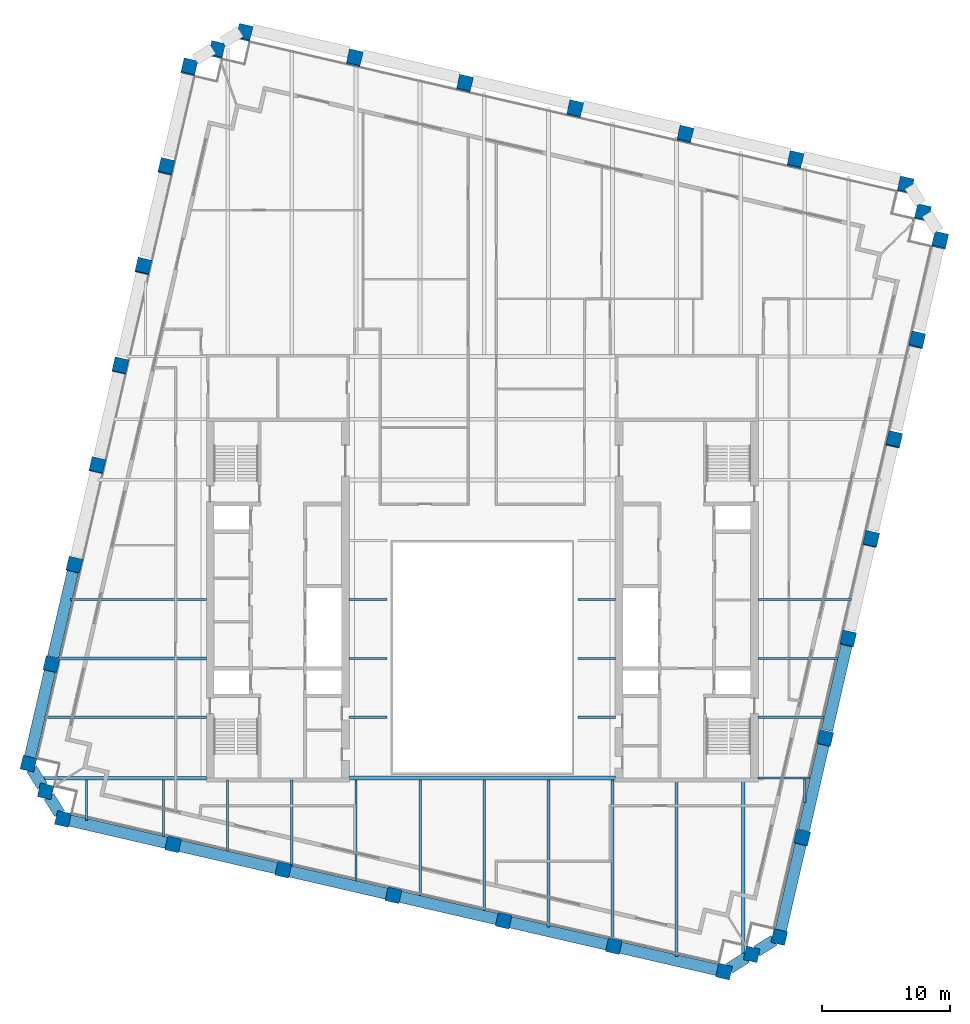
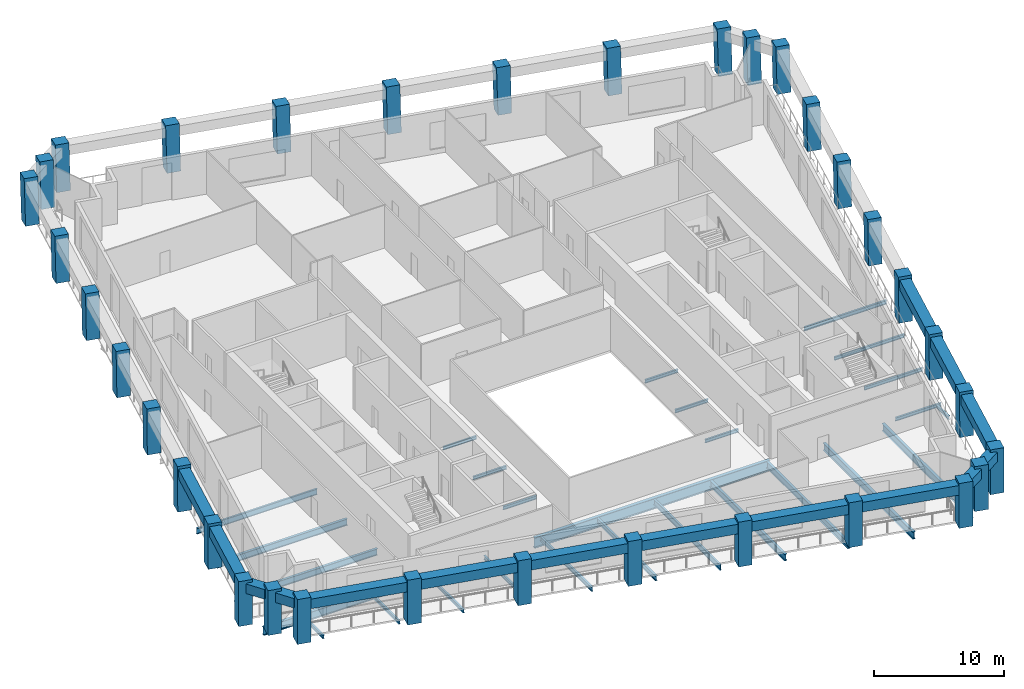
# One storey, part 1 of 10: 42 beams, 34 columns.
"""IFC4 building model written with IfcOpenShell, lengths in metres."""

from ifc_helpers import new_model, si_unit, direction, frame, origin, origin_2d, place, context, subcontext, project, spatial, rectangle, i_section, extrude, material, material_profile, profile_set, type_object, element, save


model = new_model("IFC4")

# Units and contexts
model_context = context("Model", 3, precision=1e-05, world=origin(), true_north=direction((0.0, 1.0)))
body_context = subcontext(model_context, "Body", "Model", "MODEL_VIEW")
ifc_project = project(units=[si_unit("LENGTHUNIT", "METRE"), si_unit("AREAUNIT", "SQUARE_METRE"), si_unit("VOLUMEUNIT", "CUBIC_METRE"), si_unit("PLANEANGLEUNIT", "RADIAN"), si_unit("MASSUNIT", "GRAM", prefix="KILO")], contexts=[model_context])

# Site, building, storey
site_placement = place(None, origin())
site = spatial("IfcSite", under=ifc_project, at=site_placement, CompositionType="ELEMENT")
building_placement = place(site_placement, origin())
building = spatial("IfcBuilding", under=site, at=building_placement, Name="Ogive Exchange Tower", CompositionType="ELEMENT")
storey_placement = place(building_placement, frame((0.0, 0.0, 251.39990234375)))
storey = spatial("IfcBuildingStorey", under=building, at=storey_placement, Name="L54", CompositionType="ELEMENT", Elevation=251.39990234375)

# Columns
ifc_material_1 = material(Name="Precast concrete C70/85 (limestone faced)", Category="masonry")
ifc_material_profile_1 = material_profile(ifc_material_1, rectangle(XDim=1.10009765625, YDim=1.10009765625, at=origin_2d()), Name="1100 x 1100")
ifc_profile_set_1 = profile_set([ifc_material_profile_1], Name="Precast concrete C70/85 (limestone faced)")
column_type = type_object("IfcColumnType", Name="Precast exoskeleton leg 1100 x 1100 C70/85", PredefinedType="COLUMN", material=ifc_profile_set_1)
for number, where, z_axis, x_axis, name in (
    (1, (-32.820556640625, -5.635498046875, 0.0), (0.0, 0.0, 1.0), (0.974370064785, -0.224951054344, 0.0), "Exoskeleton leg 1"),
    (2, (-24.197265625, -7.62646484375, 0.0), (0.0, 0.0, 1.0), (0.974370064785, -0.224951054344, 0.0), "Exoskeleton leg 2"),
    (3, (-15.57421875, -9.6171875, 0.0), (0.0, 0.0, 1.0), (0.974370064785, -0.224951054344, 0.0), "Exoskeleton leg 3"),
    (4, (-6.950927734375, -11.60791015625, 0.0), (0.0, 0.0, 1.0), (0.974370064785, -0.224951054344, 0.0), "Exoskeleton leg 4"),
    (5, (1.672119140625, -13.598876953125, 0.0), (0.0, 0.0, 1.0), (0.974370064785, -0.224951054344, 0.0), "Exoskeleton leg 5"),
    (6, (10.29541015625, -15.589599609375, 0.0), (0.0, 0.0, 1.0), (0.974370064785, -0.224951054344, 0.0), "Exoskeleton leg 6"),
    (7, (18.91845703125, -17.58056640625, 0.0), (0.0, 0.0, 1.0), (0.974370064785, -0.224951054344, 0.0), "Exoskeleton leg 7"),
    (8, (23.236083984375, -14.882568359375, 0.0), (0.0, 0.0, 1.0), (0.974370064785, -0.224951054344, 0.0), "Exoskeleton leg 8"),
):
    element("IfcColumn", number, at=place(storey_placement, frame(where, z_axis=z_axis, x_axis=x_axis)), inside=storey, type_object=column_type, Name=name, PredefinedType="COLUMN", context=body_context, shape_type="SweptSolid", body=[
        extrude(rectangle(XDim=1.10009765625, YDim=1.10009765625, at=origin_2d()), origin(), (0.0, 0.0, 1.0), 4.2001953125),
    ])
column_1_placement = place(storey_placement, frame((25.03271484375, -7.100341796875, 0.0), z_axis=(0.002964175891, 0.012670398905, 0.999915333742), x_axis=(-0.973709261374, 0.227794368487, 0.0)))
element("IfcColumn", 9, at=column_1_placement, inside=storey, type_object=column_type, Name="Exoskeleton leg 9", PredefinedType="COLUMN", context=body_context, shape_type="SweptSolid", body=[
    extrude(rectangle(XDim=1.10009765625, YDim=1.10009765625, at=origin_2d()), origin(), (0.0, 0.0, 1.0), 4.200439453125),
])
column_2_placement = place(storey_placement, frame((26.82958984375, 0.681884765625, 0.0), z_axis=(0.005810637908, 0.02533438128, 0.999662145733), x_axis=(-0.974691740237, 0.22355315143, 0.0)))
element("IfcColumn", 10, at=column_2_placement, inside=storey, type_object=column_type, Name="Exoskeleton leg 10", PredefinedType="COLUMN", context=body_context, shape_type="SweptSolid", body=[
    extrude(rectangle(XDim=1.10009765625, YDim=1.10009765625, at=origin_2d()), origin(), (0.0, 0.0, 1.0), 4.20166015625),
])
column_3_placement = place(storey_placement, frame((28.626220703125, 8.46435546875, 0.0), z_axis=(0.008770375651, 0.037927518544, 0.999242004646), x_axis=(-0.974290512438, 0.225295355862, 0.0)))
element("IfcColumn", 11, at=column_3_placement, inside=storey, type_object=column_type, Name="Exoskeleton leg 11", PredefinedType="COLUMN", context=body_context, shape_type="SweptSolid", body=[
    extrude(rectangle(XDim=1.10009765625, YDim=1.10009765625, at=origin_2d()), origin(), (0.0, 0.0, 1.0), 4.203369140625),
])
column_4_placement = place(storey_placement, frame((30.4228515625, 16.24658203125, 0.0), z_axis=(0.011667590749, 0.050559559912, 0.998652891764), x_axis=(-0.974391195695, 0.224859506699, 0.0)))
element("IfcColumn", 12, at=column_4_placement, inside=storey, type_object=column_type, Name="Exoskeleton leg 12", PredefinedType="COLUMN", context=body_context, shape_type="SweptSolid", body=[
    extrude(rectangle(XDim=1.10009765625, YDim=1.10009765625, at=origin_2d()), origin(), (0.0, 0.0, 1.0), 4.205810546875),
])
column_5_placement = place(storey_placement, frame((32.219482421875, 24.029052734375, 0.0), z_axis=(0.014616990755, 0.063108277545, 0.997899638684), x_axis=(-0.974209784844, 0.225644178107, 0.0)))
element("IfcColumn", 13, at=column_5_placement, inside=storey, type_object=column_type, Name="Exoskeleton leg 13", PredefinedType="COLUMN", context=body_context, shape_type="SweptSolid", body=[
    extrude(rectangle(XDim=1.10009765625, YDim=1.10009765625, at=origin_2d()), origin(), (0.0, 0.0, 1.0), 4.208984375),
])
column_6_placement = place(storey_placement, frame((34.01611328125, 31.811279296875, 0.0), z_axis=(0.017501014434, 0.075683194872, 0.996978318976), x_axis=(-0.974290512438, 0.225295355862, 0.0)))
element("IfcColumn", 14, at=column_6_placement, inside=storey, type_object=column_type, Name="Exoskeleton leg 14", PredefinedType="COLUMN", context=body_context, shape_type="SweptSolid", body=[
    extrude(rectangle(XDim=1.10009765625, YDim=1.10009765625, at=origin_2d()), origin(), (0.0, 0.0, 1.0), 4.212890625),
])
for number, where, z_axis, x_axis, name in (
    (15, (35.81298828125, 39.593505859375, 0.0), (0.020318455144, 0.088220300968, 0.995893738748), (-0.974488096918, 0.224439187676, 0.0), "Exoskeleton leg 15"),
    (16, (33.114990234375, 43.9111328125, 0.0), (0.02037631848, 0.088220197057, 0.99589256573), (-0.97434807649, 0.225046274885, 0.0), "Exoskeleton leg 16"),
    (17, (24.49169921875, 45.90185546875, 0.0), (0.02037631848, 0.088220197057, 0.99589256573), (-0.97434807649, 0.225046274885, 0.0), "Exoskeleton leg 17"),
    (18, (15.86865234375, 47.892822265625, 0.0), (0.02037631848, 0.088220197057, 0.99589256573), (-0.97434807649, 0.225046274885, 0.0), "Exoskeleton leg 18"),
    (19, (7.24560546875, 49.883544921875, 0.0), (0.020318455144, 0.088220300968, 0.995893738748), (-0.974488096918, 0.224439187676, 0.0), "Exoskeleton leg 19"),
    (20, (-1.377685546875, 51.87451171875, 0.0), (0.020376422505, 0.088162759874, 0.995897649951), (-0.97431566651, 0.225186549318, 0.0), "Exoskeleton leg 20"),
    (21, (-10.0009765625, 53.865234375, 0.0), (0.02037631848, 0.088220197057, 0.99589256573), (-0.97434807649, 0.225046274885, 0.0), "Exoskeleton leg 21"),
    (22, (-18.6240234375, 55.85595703125, 0.0), (0.02037631848, 0.088220197057, 0.99589256573), (-0.97434807649, 0.225046274885, 0.0), "Exoskeleton leg 22"),
    (23, (-22.941650390625, 53.158203125, 0.0), (0.020376422505, 0.088162759874, 0.995897649951), (-0.97431566651, 0.225186549318, 0.0), "Exoskeleton leg 23"),
):
    element("IfcColumn", number, at=place(storey_placement, frame(where, z_axis=z_axis, x_axis=x_axis)), inside=storey, type_object=column_type, Name=name, PredefinedType="COLUMN", context=body_context, shape_type="SweptSolid", body=[
        extrude(rectangle(XDim=1.10009765625, YDim=1.10009765625, at=origin_2d()), origin(), (0.0, 0.0, 1.0), 4.217529296875),
    ])
column_7_placement = place(storey_placement, frame((-24.73828125, 45.375732421875, 0.0), z_axis=(0.017443081717, 0.075683271502, 0.996979328429), x_axis=(-0.974454034257, 0.224587032398, 0.0)))
element("IfcColumn", 24, at=column_7_placement, inside=storey, type_object=column_type, Name="Exoskeleton leg 24", PredefinedType="COLUMN", context=body_context, shape_type="SweptSolid", body=[
    extrude(rectangle(XDim=1.10009765625, YDim=1.10009765625, at=origin_2d()), origin(), (0.0, 0.0, 1.0), 4.212890625),
])
column_8_placement = place(storey_placement, frame((-26.534912109375, 37.593505859375, 0.0), z_axis=(0.014558999143, 0.063108330945, 0.997900483069), x_axis=(-0.97440628778, 0.224794097641, 0.0)))
element("IfcColumn", 25, at=column_8_placement, inside=storey, type_object=column_type, Name="Exoskeleton leg 25", PredefinedType="COLUMN", context=body_context, shape_type="SweptSolid", body=[
    extrude(rectangle(XDim=1.10009765625, YDim=1.10009765625, at=origin_2d()), origin(), (0.0, 0.0, 1.0), 4.208984375),
])
column_9_placement = place(storey_placement, frame((-28.331787109375, 29.811279296875, 0.0), z_axis=(0.011667624972, 0.050501660328, 0.998655821007), x_axis=(-0.974334539389, 0.225104876342, 0.0)))
element("IfcColumn", 26, at=column_9_placement, inside=storey, type_object=column_type, Name="Exoskeleton leg 26", PredefinedType="COLUMN", context=body_context, shape_type="SweptSolid", body=[
    extrude(rectangle(XDim=1.10009765625, YDim=1.10009765625, at=origin_2d()), origin(), (0.0, 0.0, 1.0), 4.205810546875),
])
column_10_placement = place(storey_placement, frame((-30.12841796875, 22.02880859375, 0.0), z_axis=(0.008770375651, 0.037927518544, 0.999242004646), x_axis=(-0.974290512438, 0.225295355862, 0.0)))
element("IfcColumn", 27, at=column_10_placement, inside=storey, type_object=column_type, Name="Exoskeleton leg 27", PredefinedType="COLUMN", context=body_context, shape_type="SweptSolid", body=[
    extrude(rectangle(XDim=1.10009765625, YDim=1.10009765625, at=origin_2d()), origin(), (0.0, 0.0, 1.0), 4.203369140625),
])
column_11_placement = place(storey_placement, frame((-31.925048828125, 14.24658203125, 0.0), z_axis=(0.005868750925, 0.02527630349, 0.999663276431), x_axis=(-0.974088391429, 0.226167649504, 0.0)))
element("IfcColumn", 28, at=column_11_placement, inside=storey, type_object=column_type, Name="Exoskeleton leg 28", PredefinedType="COLUMN", context=body_context, shape_type="SweptSolid", body=[
    extrude(rectangle(XDim=1.10009765625, YDim=1.10009765625, at=origin_2d()), origin(), (0.0, 0.0, 1.0), 4.20166015625),
])
column_12_placement = place(storey_placement, frame((-33.7216796875, 6.46435546875, 0.0), z_axis=(0.002906057426, 0.012612289227, 0.999916238987), x_axis=(-0.974466825284, 0.224531526563, 0.0)))
element("IfcColumn", 29, at=column_12_placement, inside=storey, type_object=column_type, Name="Exoskeleton leg 29", PredefinedType="COLUMN", context=body_context, shape_type="SweptSolid", body=[
    extrude(rectangle(XDim=1.10009765625, YDim=1.10009765625, at=origin_2d()), origin(), (0.0, 0.0, 1.0), 4.200439453125),
])
for number, where, z_axis, x_axis, name in (
    (30, (-35.518310546875, -1.318115234375, 0.0), (0.0, 0.0, 1.0), (0.974370064785, -0.224951054344, 0.0), "Exoskeleton leg 30"),
    (31, (21.077392578125, -16.2314453125, 0.0), (0.0, 0.0, 1.0), (0.974370064785, -0.224951054344, 0.0), "Exoskeleton leg 31"),
):
    element("IfcColumn", number, at=place(storey_placement, frame(where, z_axis=z_axis, x_axis=x_axis)), inside=storey, type_object=column_type, Name=name, PredefinedType="COLUMN", context=body_context, shape_type="SweptSolid", body=[
        extrude(rectangle(XDim=1.10009765625, YDim=1.10009765625, at=origin_2d()), origin(), (0.0, 0.0, 1.0), 4.2001953125),
    ])
for number, where, z_axis, x_axis, name in (
    (32, (34.4638671875, 41.752197265625, 0.0), (0.020376214389, 0.08827763336, 0.99588747825), (-0.97438042596, 0.224906170451, 0.0), "Exoskeleton leg 32"),
    (33, (-20.78271484375, 54.507080078125, 0.0), (0.020318455144, 0.088220300968, 0.995893738748), (-0.974488096918, 0.224439187676, 0.0), "Exoskeleton leg 33"),
):
    element("IfcColumn", number, at=place(storey_placement, frame(where, z_axis=z_axis, x_axis=x_axis)), inside=storey, type_object=column_type, Name=name, PredefinedType="COLUMN", context=body_context, shape_type="SweptSolid", body=[
        extrude(rectangle(XDim=1.10009765625, YDim=1.10009765625, at=origin_2d()), origin(), (0.0, 0.0, 1.0), 4.217529296875),
    ])
column_13_placement = place(storey_placement, frame((-34.16943359375, -3.476806640625, 0.0), z_axis=(0.0, 0.0, 1.0), x_axis=(0.974370064785, -0.224951054344, 0.0)))
element("IfcColumn", 34, at=column_13_placement, inside=storey, type_object=column_type, Name="Exoskeleton leg 34", PredefinedType="COLUMN", context=body_context, shape_type="SweptSolid", body=[
    extrude(rectangle(XDim=1.10009765625, YDim=1.10009765625, at=origin_2d()), origin(), (0.0, 0.0, 1.0), 4.2001953125),
])

# Beams
ifc_material_2 = material(Name="Steel ASTM A992 Gr50", Category="steel")
ifc_material_profile_2 = material_profile(ifc_material_2, i_section(OverallWidth=0.1650390625, OverallDepth=0.31005859375, WebThickness=0.005859375, FlangeThickness=0.009765625, at=origin_2d()), Name="W310x38.7")
ifc_profile_set_2 = profile_set([ifc_material_profile_2], Name="Steel ASTM A992 Gr50")
beam_type_1 = type_object("IfcBeamType", Name="Floor beam W310x38.7", PredefinedType="JOIST", material=ifc_profile_set_2)
for number, where, z_axis, x_axis, name in (
    (35, (-10.419921875, 2.3212890625, -0.35498046875), (1.0, 0.0, 0.0), (0.0, 1.0, 0.0), "Floor beam"),
    (36, (7.469970703125, 2.3212890625, -0.35498046875), (1.0, 0.0, 0.0), (0.0, 1.0, 0.0), "Floor beam"),
):
    element("IfcBeam", number, at=place(storey_placement, frame(where, z_axis=z_axis, x_axis=x_axis)), inside=storey, type_object=beam_type_1, Name=name, PredefinedType="JOIST", context=body_context, shape_type="SweptSolid", body=[
        extrude(i_section(OverallWidth=0.1650390625, OverallDepth=0.31005859375, WebThickness=0.005859375, FlangeThickness=0.009765625, at=origin_2d()), origin(), (0.0, 0.0, 1.0), 2.949951171875),
    ])
beam_1_placement = place(storey_placement, frame((21.580078125, 2.3212890625, -0.35498046875), z_axis=(1.0, 0.0, 0.0), x_axis=(0.0, 1.0, 0.0)))
element("IfcBeam", 37, at=beam_1_placement, inside=storey, type_object=beam_type_1, Name="Floor beam", PredefinedType="JOIST", context=body_context, shape_type="SweptSolid", body=[
    extrude(i_section(OverallWidth=0.1650390625, OverallDepth=0.31005859375, WebThickness=0.005859375, FlangeThickness=0.009765625, at=origin_2d()), origin(), (0.0, 0.0, 1.0), 5.166015625),
])
for number, where, z_axis, x_axis, name in (
    (38, (-10.419921875, 6.9326171875, -0.35498046875), (1.0, 0.0, 0.0), (0.0, 1.0, 0.0), "Floor beam"),
    (39, (7.469970703125, 6.9326171875, -0.35498046875), (1.0, 0.0, 0.0), (0.0, 1.0, 0.0), "Floor beam"),
):
    element("IfcBeam", number, at=place(storey_placement, frame(where, z_axis=z_axis, x_axis=x_axis)), inside=storey, type_object=beam_type_1, Name=name, PredefinedType="JOIST", context=body_context, shape_type="SweptSolid", body=[
        extrude(i_section(OverallWidth=0.1650390625, OverallDepth=0.31005859375, WebThickness=0.005859375, FlangeThickness=0.009765625, at=origin_2d()), origin(), (0.0, 0.0, 1.0), 2.949951171875),
    ])
beam_2_placement = place(storey_placement, frame((21.580078125, 6.9326171875, -0.35498046875), z_axis=(1.0, 0.0, 0.0), x_axis=(0.0, 1.0, 0.0)))
element("IfcBeam", 40, at=beam_2_placement, inside=storey, type_object=beam_type_1, Name="Floor beam", PredefinedType="JOIST", context=body_context, shape_type="SweptSolid", body=[
    extrude(i_section(OverallWidth=0.1650390625, OverallDepth=0.31005859375, WebThickness=0.005859375, FlangeThickness=0.009765625, at=origin_2d()), origin(), (0.0, 0.0, 1.0), 6.230712890625),
])
for number, where, z_axis, x_axis, name in (
    (41, (-10.419921875, 11.543701171875, -0.35498046875), (1.0, 0.0, 0.0), (0.0, 1.0, 0.0), "Floor beam"),
    (42, (7.469970703125, 11.543701171875, -0.35498046875), (1.0, 0.0, 0.0), (0.0, 1.0, 0.0), "Floor beam"),
):
    element("IfcBeam", number, at=place(storey_placement, frame(where, z_axis=z_axis, x_axis=x_axis)), inside=storey, type_object=beam_type_1, Name=name, PredefinedType="JOIST", context=body_context, shape_type="SweptSolid", body=[
        extrude(i_section(OverallWidth=0.1650390625, OverallDepth=0.31005859375, WebThickness=0.005859375, FlangeThickness=0.009765625, at=origin_2d()), origin(), (0.0, 0.0, 1.0), 2.949951171875),
    ])
beam_3_placement = place(storey_placement, frame((-30.960693359375, -5.753173828125, -0.35498046875), z_axis=(0.0, 1.0, 0.0), x_axis=(-1.0, 0.0, 0.0)))
element("IfcBeam", 43, at=beam_3_placement, inside=storey, type_object=beam_type_1, Name="Floor beam", PredefinedType="JOIST", context=body_context, shape_type="SweptSolid", body=[
    extrude(i_section(OverallWidth=0.1650390625, OverallDepth=0.31005859375, WebThickness=0.005859375, FlangeThickness=0.009765625, at=origin_2d()), origin(), (0.0, 0.0, 1.0), 3.174560546875),
])
beam_4_placement = place(storey_placement, frame((-24.942626953125, -6.992431640625, -0.35498046875), z_axis=(0.0, 1.0, 0.0), x_axis=(-1.0, 0.0, 0.0)))
element("IfcBeam", 44, at=beam_4_placement, inside=storey, type_object=beam_type_1, Name="Floor beam", PredefinedType="JOIST", context=body_context, shape_type="SweptSolid", body=[
    extrude(i_section(OverallWidth=0.1650390625, OverallDepth=0.31005859375, WebThickness=0.005859375, FlangeThickness=0.009765625, at=origin_2d()), origin(), (0.0, 0.0, 1.0), 4.413818359375),
])
beam_5_placement = place(storey_placement, frame((-19.9248046875, -8.15087890625, -0.35498046875), z_axis=(0.0, 1.0, 0.0), x_axis=(-1.0, 0.0, 0.0)))
element("IfcBeam", 45, at=beam_5_placement, inside=storey, type_object=beam_type_1, Name="Floor beam", PredefinedType="JOIST", context=body_context, shape_type="SweptSolid", body=[
    extrude(i_section(OverallWidth=0.1650390625, OverallDepth=0.31005859375, WebThickness=0.005859375, FlangeThickness=0.009765625, at=origin_2d()), origin(), (0.0, 0.0, 1.0), 5.55078125),
])
beam_6_placement = place(storey_placement, frame((25.2373046875, -4.364501953125, -0.35498046875), z_axis=(0.0, 1.0, 0.0), x_axis=(-1.0, 0.0, 0.0)))
element("IfcBeam", 46, at=beam_6_placement, inside=storey, type_object=beam_type_1, Name="Floor beam", PredefinedType="JOIST", context=body_context, shape_type="SweptSolid", body=[
    extrude(i_section(OverallWidth=0.1650390625, OverallDepth=0.31005859375, WebThickness=0.005859375, FlangeThickness=0.009765625, at=origin_2d()), origin(), (0.0, 0.0, 1.0), 1.8369140625),
])
ifc_material_profile_3 = material_profile(ifc_material_2, i_section(OverallWidth=0.1708984375, OverallDepth=0.35595703125, WebThickness=0.00732421875, FlangeThickness=0.01171875, at=origin_2d()), Name="W360x51")
ifc_profile_set_3 = profile_set([ifc_material_profile_3], Name="Steel ASTM A992 Gr50")
beam_type_2 = type_object("IfcBeamType", Name="Floor beam W360x51", PredefinedType="JOIST", material=ifc_profile_set_3)
beam_7_placement = place(storey_placement, frame((21.580078125, 11.543701171875, -0.3779296875), z_axis=(1.0, 0.0, 0.0), x_axis=(0.0, 1.0, 0.0)))
element("IfcBeam", 47, at=beam_7_placement, inside=storey, type_object=beam_type_2, Name="Floor beam", PredefinedType="JOIST", context=body_context, shape_type="SweptSolid", body=[
    extrude(i_section(OverallWidth=0.1708984375, OverallDepth=0.35595703125, WebThickness=0.00732421875, FlangeThickness=0.01171875, at=origin_2d()), origin(), (0.0, 0.0, 1.0), 7.295166015625),
])
beam_8_placement = place(storey_placement, frame((-14.90673828125, -9.3095703125, -0.3779296875), z_axis=(0.0, 1.0, 0.0), x_axis=(-1.0, 0.0, 0.0)))
element("IfcBeam", 48, at=beam_8_placement, inside=storey, type_object=beam_type_2, Name="Floor beam", PredefinedType="JOIST", context=body_context, shape_type="SweptSolid", body=[
    extrude(i_section(OverallWidth=0.1708984375, OverallDepth=0.35595703125, WebThickness=0.00732421875, FlangeThickness=0.01171875, at=origin_2d()), origin(), (0.0, 0.0, 1.0), 6.70947265625),
])
ifc_material_profile_4 = material_profile(ifc_material_2, i_section(OverallWidth=0.177978515625, OverallDepth=0.406005859375, WebThickness=0.0078125, FlangeThickness=0.0126953125, at=origin_2d()), Name="W410x60")
ifc_profile_set_4 = profile_set([ifc_material_profile_4], Name="Steel ASTM A992 Gr50")
beam_type_3 = type_object("IfcBeamType", Name="Floor beam W410x60", PredefinedType="JOIST", material=ifc_profile_set_4)
beam_9_placement = place(storey_placement, frame((-9.888916015625, -10.468017578125, -0.40283203125), z_axis=(0.0, 1.0, 0.0), x_axis=(-1.0, 0.0, 0.0)))
element("IfcBeam", 49, at=beam_9_placement, inside=storey, type_object=beam_type_3, Name="Floor beam", PredefinedType="JOIST", context=body_context, shape_type="SweptSolid", body=[
    extrude(i_section(OverallWidth=0.177978515625, OverallDepth=0.406005859375, WebThickness=0.0078125, FlangeThickness=0.0126953125, at=origin_2d()), origin(), (0.0, 0.0, 1.0), 7.873046875),
])
ifc_material_profile_5 = material_profile(ifc_material_2, i_section(OverallWidth=0.19091796875, OverallDepth=0.45703125, WebThickness=0.009033203125, FlangeThickness=0.014404296875, at=origin_2d()), Name="W460x74")
ifc_profile_set_5 = profile_set([ifc_material_profile_5], Name="Steel ASTM A992 Gr50")
beam_type_4 = type_object("IfcBeamType", Name="Floor beam W460x74", PredefinedType="JOIST", material=ifc_profile_set_5)
beam_10_placement = place(storey_placement, frame((-4.870849609375, -11.62646484375, -0.428466796875), z_axis=(0.0, 1.0, 0.0), x_axis=(-1.0, 0.0, 0.0)))
element("IfcBeam", 50, at=beam_10_placement, inside=storey, type_object=beam_type_4, Name="Floor beam", PredefinedType="JOIST", context=body_context, shape_type="SweptSolid", body=[
    extrude(i_section(OverallWidth=0.19091796875, OverallDepth=0.45703125, WebThickness=0.009033203125, FlangeThickness=0.014404296875, at=origin_2d()), origin(), (0.0, 0.0, 1.0), 9.031494140625),
])
ifc_material_profile_6 = material_profile(ifc_material_2, i_section(OverallWidth=0.1669921875, OverallDepth=0.535888671875, WebThickness=0.01025390625, FlangeThickness=0.0166015625, at=origin_2d()), Name="W530x85")
ifc_profile_set_6 = profile_set([ifc_material_profile_6], Name="Steel ASTM A992 Gr50")
beam_type_5 = type_object("IfcBeamType", Name="Floor beam W530x85", PredefinedType="JOIST", material=ifc_profile_set_6)
beam_11_placement = place(storey_placement, frame((-32.2373046875, 11.543701171875, -0.468017578125), z_axis=(1.0, 0.0, 0.0), x_axis=(0.0, 1.0, 0.0)))
element("IfcBeam", 51, at=beam_11_placement, inside=storey, type_object=beam_type_5, Name="Floor beam", PredefinedType="JOIST", context=body_context, shape_type="SweptSolid", body=[
    extrude(i_section(OverallWidth=0.1669921875, OverallDepth=0.535888671875, WebThickness=0.01025390625, FlangeThickness=0.0166015625, at=origin_2d()), origin(), (0.0, 0.0, 1.0), 10.6572265625),
])
beam_12_placement = place(storey_placement, frame((0.147216796875, -12.784912109375, -0.468017578125), z_axis=(0.0, 1.0, 0.0), x_axis=(-1.0, 0.0, 0.0)))
element("IfcBeam", 52, at=beam_12_placement, inside=storey, type_object=beam_type_5, Name="Floor beam", PredefinedType="JOIST", context=body_context, shape_type="SweptSolid", body=[
    extrude(i_section(OverallWidth=0.1669921875, OverallDepth=0.535888671875, WebThickness=0.01025390625, FlangeThickness=0.0166015625, at=origin_2d()), origin(), (0.0, 0.0, 1.0), 10.18994140625),
])
ifc_material_profile_7 = material_profile(ifc_material_2, i_section(OverallWidth=0.22802734375, OverallDepth=0.60205078125, WebThickness=0.010498046875, FlangeThickness=0.014892578125, at=origin_2d()), Name="W610x101")
ifc_profile_set_7 = profile_set([ifc_material_profile_7], Name="Steel ASTM A992 Gr50")
beam_type_6 = type_object("IfcBeamType", Name="Floor beam W610x101", PredefinedType="JOIST", material=ifc_profile_set_7)
beam_13_placement = place(storey_placement, frame((-34.21630859375, 2.3212890625, -0.5009765625), z_axis=(1.0, 0.0, 0.0), x_axis=(0.0, 1.0, 0.0)))
element("IfcBeam", 53, at=beam_13_placement, inside=storey, type_object=beam_type_6, Name="Floor beam", PredefinedType="JOIST", context=body_context, shape_type="SweptSolid", body=[
    extrude(i_section(OverallWidth=0.22802734375, OverallDepth=0.60205078125, WebThickness=0.010498046875, FlangeThickness=0.014892578125, at=origin_2d()), origin(), (0.0, 0.0, 1.0), 12.63623046875),
])
beam_14_placement = place(storey_placement, frame((-33.15185546875, 6.9326171875, -0.5009765625), z_axis=(1.0, 0.0, 0.0), x_axis=(0.0, 1.0, 0.0)))
element("IfcBeam", 54, at=beam_14_placement, inside=storey, type_object=beam_type_6, Name="Floor beam", PredefinedType="JOIST", context=body_context, shape_type="SweptSolid", body=[
    extrude(i_section(OverallWidth=0.22802734375, OverallDepth=0.60205078125, WebThickness=0.010498046875, FlangeThickness=0.014892578125, at=origin_2d()), origin(), (0.0, 0.0, 1.0), 11.57177734375),
])
beam_15_placement = place(storey_placement, frame((5.165283203125, -14.093505859375, -0.5009765625), z_axis=(0.0, 1.0, 0.0), x_axis=(-1.0, 0.0, 0.0)))
element("IfcBeam", 55, at=beam_15_placement, inside=storey, type_object=beam_type_6, Name="Floor beam", PredefinedType="JOIST", context=body_context, shape_type="SweptSolid", body=[
    extrude(i_section(OverallWidth=0.22802734375, OverallDepth=0.60205078125, WebThickness=0.010498046875, FlangeThickness=0.014892578125, at=origin_2d()), origin(), (0.0, 0.0, 1.0), 11.49853515625),
])
beam_16_placement = place(storey_placement, frame((10.18310546875, -15.101806640625, -0.5009765625), z_axis=(0.0, 1.0, 0.0), x_axis=(-1.0, 0.0, 0.0)))
element("IfcBeam", 56, at=beam_16_placement, inside=storey, type_object=beam_type_6, Name="Floor beam", PredefinedType="JOIST", context=body_context, shape_type="SweptSolid", body=[
    extrude(i_section(OverallWidth=0.22802734375, OverallDepth=0.60205078125, WebThickness=0.010498046875, FlangeThickness=0.014892578125, at=origin_2d()), origin(), (0.0, 0.0, 1.0), 12.5068359375),
])
ifc_material_profile_8 = material_profile(ifc_material_2, i_section(OverallWidth=0.25390625, OverallDepth=0.677978515625, WebThickness=0.01171875, FlangeThickness=0.016357421875, at=origin_2d()), Name="W690x125")
ifc_profile_set_8 = profile_set([ifc_material_profile_8], Name="Steel ASTM A992 Gr50")
beam_type_7 = type_object("IfcBeamType", Name="Floor beam W690x125", PredefinedType="JOIST", material=ifc_profile_set_8)
beam_17_placement = place(storey_placement, frame((15.201171875, -16.410400390625, -0.538818359375), z_axis=(0.0, 1.0, 0.0), x_axis=(-1.0, 0.0, 0.0)))
element("IfcBeam", 57, at=beam_17_placement, inside=storey, type_object=beam_type_7, Name="Floor beam", PredefinedType="JOIST", context=body_context, shape_type="SweptSolid", body=[
    extrude(i_section(OverallWidth=0.25390625, OverallDepth=0.677978515625, WebThickness=0.01171875, FlangeThickness=0.016357421875, at=origin_2d()), origin(), (0.0, 0.0, 1.0), 13.810302734375),
])
beam_18_placement = place(storey_placement, frame((20.419189453125, -16.26220703125, -0.538818359375), z_axis=(0.0, 1.0, 0.0), x_axis=(-1.0, 0.0, 0.0)))
element("IfcBeam", 58, at=beam_18_placement, inside=storey, type_object=beam_type_7, Name="Floor beam", PredefinedType="JOIST", context=body_context, shape_type="SweptSolid", body=[
    extrude(i_section(OverallWidth=0.25390625, OverallDepth=0.677978515625, WebThickness=0.01171875, FlangeThickness=0.016357421875, at=origin_2d()), origin(), (0.0, 0.0, 1.0), 13.662109375),
])
ifc_material_profile_9 = material_profile(ifc_material_2, i_section(OverallWidth=0.300048828125, OverallDepth=0.97998046875, WebThickness=0.0166015625, FlangeThickness=0.026123046875, at=origin_2d()), Name="W1000x249")
ifc_profile_set_9 = profile_set([ifc_material_profile_9], Name="Steel ASTM A992 Gr50")
beam_type_8 = type_object("IfcBeamType", Name="Girder W1000x249", PredefinedType="BEAM", material=ifc_profile_set_9)
beam_19_placement = place(storey_placement, frame((-10.419921875, -2.445068359375, -0.68994140625), z_axis=(1.0, 0.0, 0.0), x_axis=(0.0, 1.0, 0.0)))
element("IfcBeam", 59, at=beam_19_placement, inside=storey, type_object=beam_type_8, Name="Header girder", PredefinedType="BEAM", context=body_context, shape_type="SweptSolid", body=[
    extrude(i_section(OverallWidth=0.300048828125, OverallDepth=0.97998046875, WebThickness=0.0166015625, FlangeThickness=0.026123046875, at=origin_2d()), origin(), (0.0, 0.0, 1.0), 20.83984375),
])
ifc_material_profile_10 = material_profile(ifc_material_2, i_section(OverallWidth=0.1650390625, OverallDepth=0.31005859375, WebThickness=0.005859375, FlangeThickness=0.009765625, at=origin_2d()), Name="W310x38.7")
ifc_profile_set_10 = profile_set([ifc_material_profile_10], Name="Steel ASTM A992 Gr50")
beam_type_9 = type_object("IfcBeamType", Name="Girder W310x38.7", PredefinedType="BEAM", material=ifc_profile_set_10)
beam_20_placement = place(storey_placement, frame((21.580078125, -2.445068359375, -0.35498046875), z_axis=(1.0, 0.0, 0.0), x_axis=(0.0, 1.0, 0.0)))
element("IfcBeam", 60, at=beam_20_placement, inside=storey, type_object=beam_type_9, Name="Header girder", PredefinedType="BEAM", context=body_context, shape_type="SweptSolid", body=[
    extrude(i_section(OverallWidth=0.1650390625, OverallDepth=0.31005859375, WebThickness=0.005859375, FlangeThickness=0.009765625, at=origin_2d()), origin(), (0.0, 0.0, 1.0), 4.065673828125),
])
ifc_material_profile_11 = material_profile(ifc_material_2, i_section(OverallWidth=0.26708984375, OverallDepth=0.75390625, WebThickness=0.01318359375, FlangeThickness=0.01708984375, at=origin_2d()), Name="W760x147")
ifc_profile_set_11 = profile_set([ifc_material_profile_11], Name="Steel ASTM A992 Gr50")
beam_type_10 = type_object("IfcBeamType", Name="Girder W760x147", PredefinedType="BEAM", material=ifc_profile_set_11)
beam_21_placement = place(storey_placement, frame((-34.43359375, -2.445068359375, -0.576904296875), z_axis=(1.0, 0.0, 0.0), x_axis=(0.0, 1.0, 0.0)))
element("IfcBeam", 61, at=beam_21_placement, inside=storey, type_object=beam_type_10, Name="Header girder", PredefinedType="BEAM", context=body_context, shape_type="SweptSolid", body=[
    extrude(i_section(OverallWidth=0.26708984375, OverallDepth=0.75390625, WebThickness=0.01318359375, FlangeThickness=0.01708984375, at=origin_2d()), origin(), (0.0, 0.0, 1.0), 12.853515625),
])
ifc_material_profile_12 = material_profile(ifc_material_1, rectangle(XDim=0.89990234375, YDim=0.89990234375, at=origin_2d()), Name="900 x 900")
ifc_profile_set_12 = profile_set([ifc_material_profile_12], Name="Precast concrete C70/85 (limestone faced)")
beam_type_11 = type_object("IfcBeamType", Name="Precast spandrel 900 x 900 C70/85", PredefinedType="SPANDREL", material=ifc_profile_set_12)
for number, where, z_axis, x_axis, name in (
    (62, (-32.30419921875, -5.7548828125, 3.5), (0.974374818602, -0.224930462307, 0.0), (0.224930462307, 0.974374818602, 0.0), "Spandrel 1"),
    (63, (-23.680908203125, -7.74560546875, 3.5), (0.974367949416, -0.224960216819, 0.0), (0.224960216819, 0.974367949416, 0.0), "Spandrel 2"),
    (64, (-15.0576171875, -9.736328125, 3.5), (0.974367949416, -0.224960216819, 0.0), (0.224960216819, 0.974367949416, 0.0), "Spandrel 3"),
    (65, (-6.4345703125, -11.727294921875, 3.5), (0.974374818602, -0.224930462307, 0.0), (0.224930462307, 0.974374818602, 0.0), "Spandrel 4"),
):
    element("IfcBeam", number, at=place(storey_placement, frame(where, z_axis=z_axis, x_axis=x_axis)), inside=storey, type_object=beam_type_11, Name=name, PredefinedType="SPANDREL", context=body_context, shape_type="SweptSolid", body=[
        extrude(rectangle(XDim=0.89990234375, YDim=0.89990234375, at=origin_2d()), origin(), (0.0, 0.0, 1.0), 7.7900390625),
    ])
beam_22_placement = place(storey_placement, frame((2.188720703125, -13.718017578125, 3.5), z_axis=(0.974366363305, -0.224967086616, 0.0), x_axis=(0.224967086616, 0.974366363305, 0.0)))
element("IfcBeam", 66, at=beam_22_placement, inside=storey, type_object=beam_type_11, Name="Spandrel 5", PredefinedType="SPANDREL", context=body_context, shape_type="SweptSolid", body=[
    extrude(rectangle(XDim=0.89990234375, YDim=0.89990234375, at=origin_2d()), origin(), (0.0, 0.0, 1.0), 7.789794921875),
])
beam_23_placement = place(storey_placement, frame((10.811767578125, -15.708984375, 3.5), z_axis=(0.974374818602, -0.224930462307, 0.0), x_axis=(0.224930462307, 0.974374818602, 0.0)))
element("IfcBeam", 67, at=beam_23_placement, inside=storey, type_object=beam_type_11, Name="Spandrel 6", PredefinedType="SPANDREL", context=body_context, shape_type="SweptSolid", body=[
    extrude(rectangle(XDim=0.89990234375, YDim=0.89990234375, at=origin_2d()), origin(), (0.0, 0.0, 1.0), 7.7900390625),
])
for number, where, z_axis, x_axis, name in (
    (68, (19.32373046875, -17.327392578125, 3.5), (0.84798967817, 0.53001274109, 0.0), (-0.53001274109, 0.84798967817, 0.0), "Spandrel 7"),
    (69, (21.482421875, -15.978271484375, 3.5), (0.848058683477, 0.529902320601, 0.0), (-0.529902320601, 0.848058683477, 0.0), "Spandrel 8"),
):
    element("IfcBeam", number, at=place(storey_placement, frame(where, z_axis=z_axis, x_axis=x_axis)), inside=storey, type_object=beam_type_11, Name=name, PredefinedType="SPANDREL", context=body_context, shape_type="SweptSolid", body=[
        extrude(rectangle(XDim=0.89990234375, YDim=0.89990234375, at=origin_2d()), origin(), (0.0, 0.0, 1.0), 1.590087890625),
    ])
for number, where, z_axis, x_axis, name in (
    (70, (23.355224609375, -14.3662109375, 3.5), (0.224953999861, 0.974369384754, 0.0), (-0.974369384754, 0.224953999861, 0.0), "Spandrel 9"),
    (71, (25.164306640625, -6.53076171875, 3.5), (0.224953999861, 0.974369384754, 0.0), (-0.974369384754, 0.224953999861, 0.0), "Spandrel 10"),
    (72, (26.97314453125, 1.3046875, 3.5), (0.224953999861, 0.974369384754, 0.0), (-0.974369384754, 0.224953999861, 0.0), "Spandrel 11"),
    (73, (-32.019775390625, 13.83642578125, 3.5), (-0.224920800284, -0.974377048991, 0.0), (0.974377048991, -0.224920800284, 0.0), "Spandrel 31"),
):
    element("IfcBeam", number, at=place(storey_placement, frame(where, z_axis=z_axis, x_axis=x_axis)), inside=storey, type_object=beam_type_11, Name=name, PredefinedType="SPANDREL", context=body_context, shape_type="SweptSolid", body=[
        extrude(rectangle(XDim=0.89990234375, YDim=0.89990234375, at=origin_2d()), origin(), (0.0, 0.0, 1.0), 6.981689453125),
    ])
beam_24_placement = place(storey_placement, frame((-33.82861328125, 6.0009765625, 3.5), z_axis=(-0.224961664857, -0.974367615094, 0.0), x_axis=(0.974367615094, -0.224961664857, 0.0)))
element("IfcBeam", 74, at=beam_24_placement, inside=storey, type_object=beam_type_11, Name="Spandrel 32", PredefinedType="SPANDREL", context=body_context, shape_type="SweptSolid", body=[
    extrude(rectangle(XDim=0.89990234375, YDim=0.89990234375, at=origin_2d()), origin(), (0.0, 0.0, 1.0), 6.9814453125),
])
for number, where, z_axis, x_axis, name in (
    (75, (-35.26513671875, -1.72314453125, 3.5), (0.529902320601, -0.848058683477, 0.0), (0.848058683477, 0.529902320601, 0.0), "Spandrel 33"),
    (76, (-33.916259765625, -3.882080078125, 3.5), (0.529902320601, -0.848058683477, 0.0), (0.848058683477, 0.529902320601, 0.0), "Spandrel 34"),
):
    element("IfcBeam", number, at=place(storey_placement, frame(where, z_axis=z_axis, x_axis=x_axis)), inside=storey, type_object=beam_type_11, Name=name, PredefinedType="SPANDREL", context=body_context, shape_type="SweptSolid", body=[
        extrude(rectangle(XDim=0.89990234375, YDim=0.89990234375, at=origin_2d()), origin(), (0.0, 0.0, 1.0), 1.590087890625),
    ])

save(model, "model.ifc")
